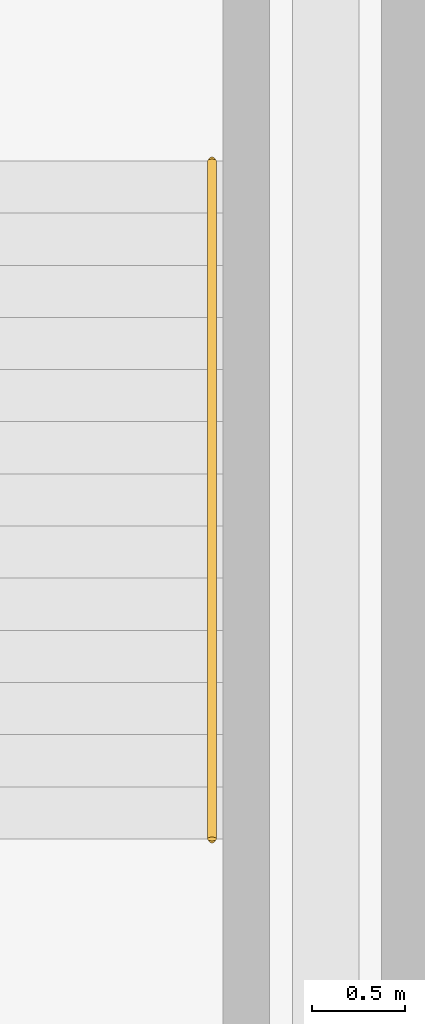
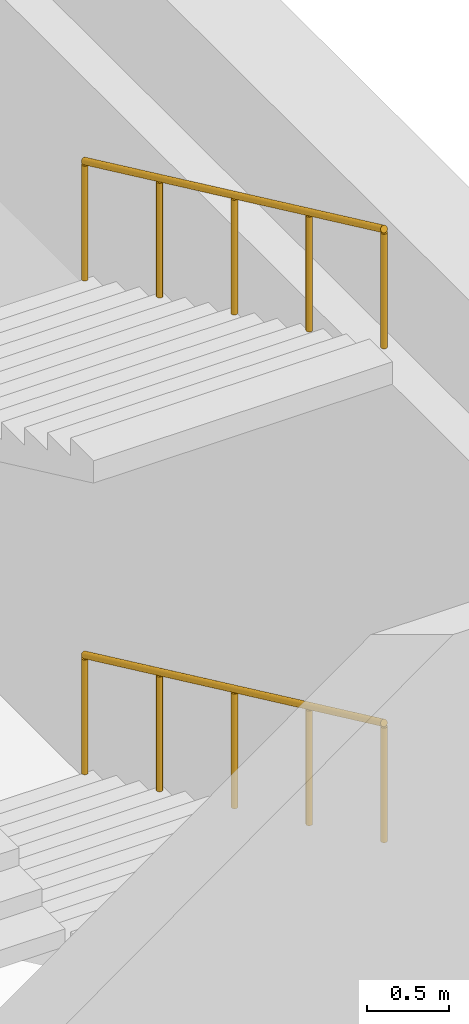
# One storey, part 26 of 27: 2 railings.
"""IFC4 building model written with IfcOpenShell, lengths in metres."""

from ifc_helpers import new_model, si_unit, direction, frame, origin, origin_2d, place, context, subcontext, project, spatial, circle, extrude, material, type_object, element, save


model = new_model("IFC4")

# Units and contexts
model_context = context("Model", 3, precision=1e-05, world=origin(), true_north=direction((0.0, 1.0)))
body_context = subcontext(model_context, "Body", "Model", "MODEL_VIEW")
ifc_project = project(units=[si_unit("LENGTHUNIT", "METRE"), si_unit("AREAUNIT", "SQUARE_METRE"), si_unit("VOLUMEUNIT", "CUBIC_METRE"), si_unit("PLANEANGLEUNIT", "RADIAN"), si_unit("MASSUNIT", "GRAM", prefix="KILO")], contexts=[model_context])

# Site, building, storey
site_placement = place(None, origin())
site = spatial("IfcSite", under=ifc_project, at=site_placement, CompositionType="ELEMENT")
building_placement = place(site_placement, origin())
building = spatial("IfcBuilding", under=site, at=building_placement, Name="Loomwork Tower", CompositionType="ELEMENT")
storey_placement = place(building_placement, frame((0.0, 0.0, -5.5)))
storey = spatial("IfcBuildingStorey", under=building, at=storey_placement, Name="B1", CompositionType="ELEMENT", Elevation=-5.5)

# Railings
ifc_material = material(Name="Stainless steel handrail", Category="steel")
railing_type = type_object("IfcRailingType", Name="Handrail 900", PredefinedType="HANDRAIL", material=ifc_material)
railing_1_placement = place(storey_placement, frame((62.389892578125, 42.320068359375, 0.131103515625)))
element("IfcRailing", 1, at=railing_1_placement, inside=storey, type_object=railing_type, Name="Podium stair PS4 handrail flight 1 B1", PredefinedType="HANDRAIL", context=body_context, shape_type="SweptSolid", body=[
    extrude(circle(Radius=0.02392578125, at=origin_2d()), frame((0.0, 0.0, 0.8759765625), z_axis=(0.0, -0.905856922506, 0.423583800383), x_axis=(1.0, 0.0, 0.0)), (0.0, 0.0, 1.0), 4.0185546875),
    extrude(circle(Radius=0.02099609375, at=origin_2d()), origin(), (0.0, 0.0, 1.0), 0.851806640625),
    extrude(circle(Radius=0.02099609375, at=origin_2d()), frame((0.0, -0.91015625, 0.425537109375)), (0.0, 0.0, 1.0), 0.851806640625),
    extrude(circle(Radius=0.02099609375, at=origin_2d()), frame((0.0, -1.820068359375, 0.85107421875)), (0.0, 0.0, 1.0), 0.851806640625),
    extrude(circle(Radius=0.02099609375, at=origin_2d()), frame((0.0, -2.72998046875, 1.276611328125)), (0.0, 0.0, 1.0), 0.851806640625),
    extrude(circle(Radius=0.02099609375, at=origin_2d()), frame((0.0, -3.64013671875, 1.7021484375)), (0.0, 0.0, 1.0), 0.851806640625),
])
railing_2_placement = place(storey_placement, frame((62.389892578125, 42.320068359375, 3.797607421875)))
element("IfcRailing", 2, at=railing_2_placement, inside=storey, type_object=railing_type, Name="Podium stair PS4 handrail flight 3 B1", PredefinedType="HANDRAIL", context=body_context, shape_type="SweptSolid", body=[
    extrude(circle(Radius=0.02392578125, at=origin_2d()), frame((0.0, 0.0, 0.8759765625), z_axis=(0.0, -0.905833609661, 0.423633652593), x_axis=(1.0, 0.0, 0.0)), (0.0, 0.0, 1.0), 4.0185546875),
    extrude(circle(Radius=0.02099609375, at=origin_2d()), origin(), (0.0, 0.0, 1.0), 0.851806640625),
    extrude(circle(Radius=0.02099609375, at=origin_2d()), frame((0.0, -0.91015625, 0.425537109375)), (0.0, 0.0, 1.0), 0.851806640625),
    extrude(circle(Radius=0.02099609375, at=origin_2d()), frame((0.0, -1.820068359375, 0.85107421875)), (0.0, 0.0, 1.0), 0.851806640625),
    extrude(circle(Radius=0.02099609375, at=origin_2d()), frame((0.0, -2.72998046875, 1.27685546875)), (0.0, 0.0, 1.0), 0.851806640625),
    extrude(circle(Radius=0.02099609375, at=origin_2d()), frame((0.0, -3.64013671875, 1.702392578125)), (0.0, 0.0, 1.0), 0.851806640625),
])

save(model, "model.ifc")
